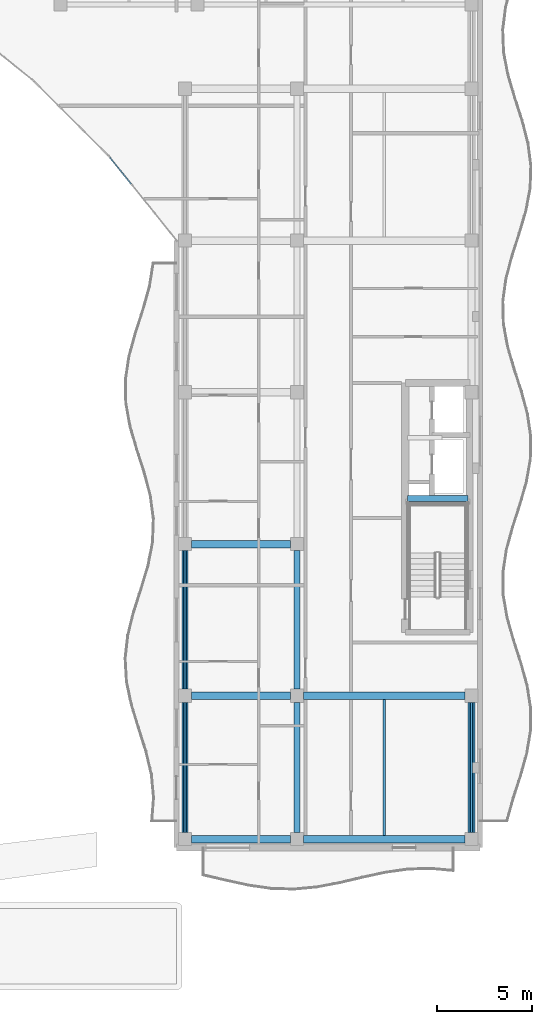
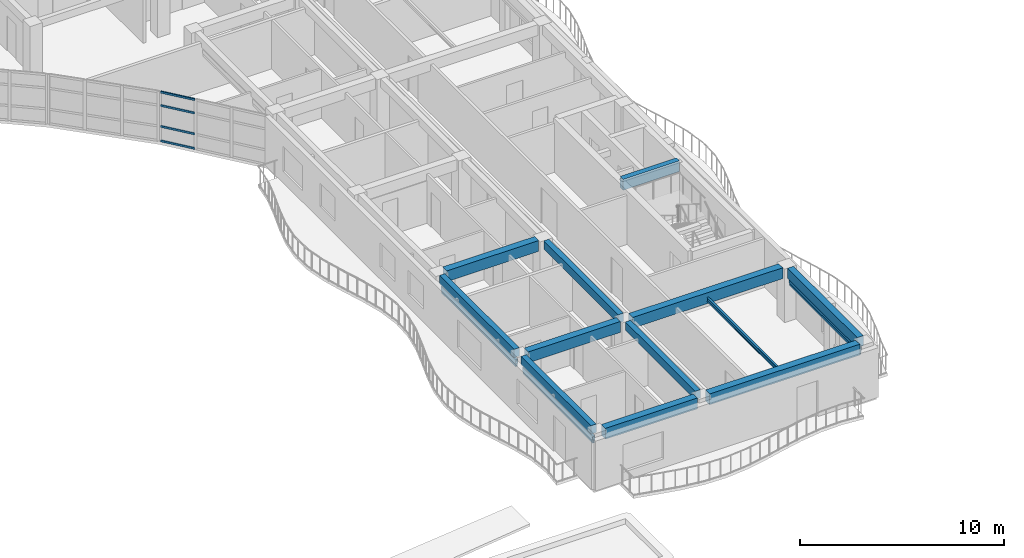
# One storey, part 64 of 128: 12 beams, 10 members, 1 element without a shape of its own.
"""IFC4 building model written with IfcOpenShell, lengths in metres."""

from ifc_helpers import new_model, si_unit, direction, frame, origin, origin_2d, place, context, subcontext, project, spatial, rectangle, hollow_rectangle, i_section, extrude, material, layer, layer_set, material_profile, profile_set, type_object, element, aggregate, save


model = new_model("IFC4")

# Units and contexts
model_context = context("Model", 3, precision=1e-05, world=origin(), true_north=direction((0.0, 1.0)))
body_context = subcontext(model_context, "Body", "Model", "MODEL_VIEW")
ifc_project = project(units=[si_unit("LENGTHUNIT", "METRE"), si_unit("AREAUNIT", "SQUARE_METRE"), si_unit("VOLUMEUNIT", "CUBIC_METRE"), si_unit("PLANEANGLEUNIT", "RADIAN"), si_unit("MASSUNIT", "GRAM", prefix="KILO")], contexts=[model_context])

# Site, building, storey
site_placement = place(None, origin())
site = spatial("IfcSite", under=ifc_project, at=site_placement, CompositionType="ELEMENT")
building_placement = place(site_placement, origin())
building = spatial("IfcBuilding", under=site, at=building_placement, Name="Keldmere Railside Commons", CompositionType="ELEMENT")
storey_placement = place(building_placement, frame((0.0, 0.0, 4.159912109375)))
storey = spatial("IfcBuildingStorey", under=building, at=storey_placement, Name="L01", CompositionType="ELEMENT", Elevation=4.159912109375)

# Members
ifc_material_1 = material(Name="Steel F-36 (S355)", Category="steel")
ifc_material_profile_1 = material_profile(ifc_material_1, hollow_rectangle(XDim=0.14990234375, YDim=0.25, WallThickness=0.010009765625, at=origin_2d()), Name="RHS-250x150x10")
ifc_profile_set_1 = profile_set([ifc_material_profile_1], Name="Steel F-36 (S355)")
member_type_1 = type_object("IfcMemberType", Name="Balcony Continuous Planted Trough RHS250x150", PredefinedType="CHORD", material=ifc_profile_set_1)
member_1_placement = place(storey_placement, frame((168.449951171875, 56.800048828125, 2.4150390625), z_axis=(0.0, 1.0, 0.0), x_axis=(-1.0, 0.0, 0.0)))
element("IfcMember", 1, at=member_1_placement, inside=storey, type_object=member_type_1, Name="PLT-1 MEM-BPLT-0191", PredefinedType="CHORD", context=body_context, shape_type="SweptSolid", body=[
    extrude(hollow_rectangle(XDim=0.14990234375, YDim=0.25, WallThickness=0.010009765625, at=origin_2d()), origin(), (0.0, 0.0, 1.0), 6.849853515625),
])
member_2_placement = place(storey_placement, frame((168.449951171875, 64.35009765625, 2.4150390625), z_axis=(0.0, 1.0, 0.0), x_axis=(-1.0, 0.0, 0.0)))
element("IfcMember", 2, at=member_2_placement, inside=storey, type_object=member_type_1, Name="PLT-1 MEM-BPLT-0193", PredefinedType="CHORD", context=body_context, shape_type="SweptSolid", body=[
    extrude(hollow_rectangle(XDim=0.14990234375, YDim=0.25, WallThickness=0.010009765625, at=origin_2d()), origin(), (0.0, 0.0, 1.0), 7.2998046875),
])
member_3_placement = place(storey_placement, frame((183.550048828125, 56.800048828125, 2.4150390625), z_axis=(0.0, 1.0, 0.0), x_axis=(-1.0, 0.0, 0.0)))
element("IfcMember", 3, at=member_3_placement, inside=storey, type_object=member_type_1, Name="PLT-1 MEM-BPLT-0201", PredefinedType="CHORD", context=body_context, shape_type="SweptSolid", body=[
    extrude(hollow_rectangle(XDim=0.14990234375, YDim=0.25, WallThickness=0.010009765625, at=origin_2d()), origin(), (0.0, 0.0, 1.0), 6.849853515625),
])

# Beams
ifc_material_2 = material(Name="Concrete H-35 (C35/45)", Category="concrete")
ifc_material_profile_2 = material_profile(ifc_material_2, rectangle(XDim=0.300048828125, YDim=0.64990234375, at=origin_2d()), Name="RC-300x650")
ifc_profile_set_2 = profile_set([ifc_material_profile_2], Name="Concrete H-35 (C35/45)")
beam_type_1 = type_object("IfcBeamType", Name="Core Coupling RC Beam 300x650", PredefinedType="BEAM", material=ifc_profile_set_2)
beam_1_placement = place(storey_placement, frame((180.18994140625, 74.39990234375, 2.875), z_axis=(1.0, 0.0, 0.0), x_axis=(0.0, 1.0, 0.0)))
element("IfcBeam", 4, at=beam_1_placement, inside=storey, type_object=beam_type_1, Name="CB-1 BM-L01-2565", PredefinedType="BEAM", context=body_context, shape_type="SweptSolid", body=[
    extrude(rectangle(XDim=0.300048828125, YDim=0.64990234375, at=origin_2d()), origin(), (0.0, 0.0, 1.0), 3.18994140625),
])
ifc_material_profile_3 = material_profile(ifc_material_1, i_section(OverallWidth=0.1201171875, OverallDepth=0.239990234375, WebThickness=0.006103515625, FlangeThickness=0.009765625, at=origin_2d()), Name="IPE-240")
ifc_profile_set_3 = profile_set([ifc_material_profile_3], Name="Steel F-36 (S355)")
beam_type_2 = type_object("IfcBeamType", Name="Nursery & Mezzanine Steel Joist IPE240", PredefinedType="JOIST", material=ifc_profile_set_3)
beam_2_placement = place(storey_placement, frame((178.949951171875, 56.64990234375, 2.81005859375), z_axis=(0.0, 1.0, 0.0), x_axis=(-1.0, 0.0, 0.0)))
element("IfcBeam", 5, at=beam_2_placement, inside=storey, type_object=beam_type_2, Name="JST-2 BM-L01-1003", PredefinedType="JOIST", context=body_context, shape_type="SweptSolid", body=[
    extrude(i_section(OverallWidth=0.1201171875, OverallDepth=0.239990234375, WebThickness=0.006103515625, FlangeThickness=0.009765625, at=origin_2d()), origin(), (0.0, 0.0, 1.0), 7.150146484375),
])
ifc_material_3 = material(Name="Concrete H-30 (C30/37)", Category="concrete")
ifc_material_profile_4 = material_profile(ifc_material_3, rectangle(XDim=0.35009765625, YDim=0.60009765625, at=origin_2d()), Name="RC-350x600")
ifc_profile_set_4 = profile_set([ifc_material_profile_4], Name="Concrete H-30 (C30/37)")
beam_type_3 = type_object("IfcBeamType", Name="Residential Chord RC Beam 350x600", PredefinedType="BEAM", material=ifc_profile_set_4)
beam_3_placement = place(storey_placement, frame((183.550048828125, 56.800048828125, 2.900146484375), z_axis=(0.0, 1.0, 0.0), x_axis=(-1.0, 0.0, 0.0)))
element("IfcBeam", 6, at=beam_3_placement, inside=storey, type_object=beam_type_3, Name="BG-4 BM-L01-0974", PredefinedType="BEAM", context=body_context, shape_type="SweptSolid", body=[
    extrude(rectangle(XDim=0.35009765625, YDim=0.60009765625, at=origin_2d()), origin(), (0.0, 0.0, 1.0), 6.849853515625),
])
ifc_material_profile_5 = material_profile(ifc_material_3, rectangle(XDim=0.39990234375, YDim=0.64990234375, at=origin_2d()), Name="RC-400x650")
ifc_profile_set_5 = profile_set([ifc_material_profile_5], Name="Concrete H-30 (C30/37)")
beam_type_4 = type_object("IfcBeamType", Name="Residential Spine RC Girder 400x650", PredefinedType="BEAM", material=ifc_profile_set_5)
beam_4_placement = place(storey_placement, frame((168.800048828125, 56.449951171875, 2.875), z_axis=(1.0, 0.0, 0.0), x_axis=(0.0, 1.0, 0.0)))
element("IfcBeam", 7, at=beam_4_placement, inside=storey, type_object=beam_type_4, Name="BG-3 BM-L01-0785", PredefinedType="BEAM", context=body_context, shape_type="SweptSolid", body=[
    extrude(rectangle(XDim=0.39990234375, YDim=0.64990234375, at=origin_2d()), origin(), (0.0, 0.0, 1.0), 5.199951171875),
])
beam_5_placement = place(storey_placement, frame((174.699951171875, 56.449951171875, 2.875), z_axis=(1.0, 0.0, 0.0), x_axis=(0.0, 1.0, 0.0)))
element("IfcBeam", 8, at=beam_5_placement, inside=storey, type_object=beam_type_4, Name="BG-3 BM-L01-0786", PredefinedType="BEAM", context=body_context, shape_type="SweptSolid", body=[
    extrude(rectangle(XDim=0.39990234375, YDim=0.64990234375, at=origin_2d()), origin(), (0.0, 0.0, 1.0), 8.5),
])
beam_6_placement = place(storey_placement, frame((168.800048828125, 64.0, 2.875), z_axis=(1.0, 0.0, 0.0), x_axis=(0.0, 1.0, 0.0)))
element("IfcBeam", 9, at=beam_6_placement, inside=storey, type_object=beam_type_4, Name="BG-3 BM-L01-0793", PredefinedType="BEAM", context=body_context, shape_type="SweptSolid", body=[
    extrude(rectangle(XDim=0.39990234375, YDim=0.64990234375, at=origin_2d()), origin(), (0.0, 0.0, 1.0), 5.199951171875),
])
beam_7_placement = place(storey_placement, frame((174.699951171875, 64.0, 2.875), z_axis=(1.0, 0.0, 0.0), x_axis=(0.0, 1.0, 0.0)))
element("IfcBeam", 10, at=beam_7_placement, inside=storey, type_object=beam_type_4, Name="BG-3 BM-L01-0794", PredefinedType="BEAM", context=body_context, shape_type="SweptSolid", body=[
    extrude(rectangle(XDim=0.39990234375, YDim=0.64990234375, at=origin_2d()), origin(), (0.0, 0.0, 1.0), 8.5),
])
beam_8_placement = place(storey_placement, frame((168.800048828125, 72.0, 2.875), z_axis=(1.0, 0.0, 0.0), x_axis=(0.0, 1.0, 0.0)))
element("IfcBeam", 11, at=beam_8_placement, inside=storey, type_object=beam_type_4, Name="BG-3 BM-L01-0798", PredefinedType="BEAM", context=body_context, shape_type="SweptSolid", body=[
    extrude(rectangle(XDim=0.39990234375, YDim=0.64990234375, at=origin_2d()), origin(), (0.0, 0.0, 1.0), 5.199951171875),
])
ifc_material_profile_6 = material_profile(ifc_material_3, rectangle(XDim=0.300048828125, YDim=0.5, at=origin_2d()), Name="RC-300x500")
ifc_profile_set_6 = profile_set([ifc_material_profile_6], Name="Concrete H-30 (C30/37)")
beam_type_5 = type_object("IfcBeamType", Name="Secondary Frame RC Beam 300x500", PredefinedType="BEAM", material=ifc_profile_set_6)
beam_9_placement = place(storey_placement, frame((168.449951171875, 56.800048828125, 2.9501953125), z_axis=(0.0, 1.0, 0.0), x_axis=(-1.0, 0.0, 0.0)))
element("IfcBeam", 12, at=beam_9_placement, inside=storey, type_object=beam_type_5, Name="BG-5 BM-L01-0958", PredefinedType="BEAM", context=body_context, shape_type="SweptSolid", body=[
    extrude(rectangle(XDim=0.300048828125, YDim=0.5, at=origin_2d()), origin(), (0.0, 0.0, 1.0), 6.849853515625),
])
beam_10_placement = place(storey_placement, frame((168.449951171875, 64.35009765625, 2.9501953125), z_axis=(0.0, 1.0, 0.0), x_axis=(-1.0, 0.0, 0.0)))
element("IfcBeam", 13, at=beam_10_placement, inside=storey, type_object=beam_type_5, Name="BG-5 BM-L01-0959", PredefinedType="BEAM", context=body_context, shape_type="SweptSolid", body=[
    extrude(rectangle(XDim=0.300048828125, YDim=0.5, at=origin_2d()), origin(), (0.0, 0.0, 1.0), 7.2998046875),
])
beam_11_placement = place(storey_placement, frame((174.35009765625, 56.800048828125, 2.9501953125), z_axis=(0.0, 1.0, 0.0), x_axis=(-1.0, 0.0, 0.0)))
element("IfcBeam", 14, at=beam_11_placement, inside=storey, type_object=beam_type_5, Name="BG-5 BM-L01-0965", PredefinedType="BEAM", context=body_context, shape_type="SweptSolid", body=[
    extrude(rectangle(XDim=0.300048828125, YDim=0.5, at=origin_2d()), origin(), (0.0, 0.0, 1.0), 6.849853515625),
])
beam_12_placement = place(storey_placement, frame((174.35009765625, 64.35009765625, 2.9501953125), z_axis=(0.0, 1.0, 0.0), x_axis=(-1.0, 0.0, 0.0)))
element("IfcBeam", 15, at=beam_12_placement, inside=storey, type_object=beam_type_5, Name="BG-5 BM-L01-0966", PredefinedType="BEAM", context=body_context, shape_type="SweptSolid", body=[
    extrude(rectangle(XDim=0.300048828125, YDim=0.5, at=origin_2d()), origin(), (0.0, 0.0, 1.0), 7.2998046875),
])

# Members
ifc_material_profile_7 = material_profile(ifc_material_1, hollow_rectangle(XDim=0.10009765625, YDim=0.159912109375, WallThickness=0.008056640625, at=origin_2d()), Name="RHS-160x100x8")
ifc_profile_set_7 = profile_set([ifc_material_profile_7], Name="Steel F-36 (S355)")
member_type_2 = type_object("IfcMemberType", Name="Solar Brise-Soleil Louvre Fin RHS160x100", PredefinedType="STRUT", material=ifc_profile_set_7)
member_4_placement = place(storey_placement, frame((168.449951171875, 56.800048828125, 2.2001953125), z_axis=(0.0, 1.0, 0.0), x_axis=(-1.0, 0.0, 0.0)))
element("IfcMember", 16, at=member_4_placement, inside=storey, type_object=member_type_2, Name="BSF-1 MEM-BSF-0192", PredefinedType="STRUT", context=body_context, shape_type="SweptSolid", body=[
    extrude(hollow_rectangle(XDim=0.10009765625, YDim=0.159912109375, WallThickness=0.008056640625, at=origin_2d()), origin(), (0.0, 0.0, 1.0), 6.849853515625),
])
member_5_placement = place(storey_placement, frame((168.449951171875, 64.35009765625, 2.2001953125), z_axis=(0.0, 1.0, 0.0), x_axis=(-1.0, 0.0, 0.0)))
element("IfcMember", 17, at=member_5_placement, inside=storey, type_object=member_type_2, Name="BSF-1 MEM-BSF-0194", PredefinedType="STRUT", context=body_context, shape_type="SweptSolid", body=[
    extrude(hollow_rectangle(XDim=0.10009765625, YDim=0.159912109375, WallThickness=0.008056640625, at=origin_2d()), origin(), (0.0, 0.0, 1.0), 7.2998046875),
])
member_6_placement = place(storey_placement, frame((183.550048828125, 56.800048828125, 2.2001953125), z_axis=(0.0, 1.0, 0.0), x_axis=(-1.0, 0.0, 0.0)))
element("IfcMember", 18, at=member_6_placement, inside=storey, type_object=member_type_2, Name="BSF-1 MEM-BSF-0202", PredefinedType="STRUT", context=body_context, shape_type="SweptSolid", body=[
    extrude(hollow_rectangle(XDim=0.10009765625, YDim=0.159912109375, WallThickness=0.008056640625, at=origin_2d()), origin(), (0.0, 0.0, 1.0), 6.849853515625),
])

# Curtain wall, members
ifc_material_4 = material(Name="Thermally Broken Aluminium", Category="aluminium")
ifc_layer = layer(ifc_material_4, 0.159912109375, Name="Court Chord Wintergarden CW 5400x2850")
ifc_layer_set = layer_set([ifc_layer], Name="Thermally Broken Aluminium")
curtain_wall_type = type_object("IfcCurtainWallType", Name="Court Chord Wintergarden CW 5400x2850", PredefinedType="NOTDEFINED", material=ifc_layer_set)
curtain_wall_placement = place(storey_placement, origin())
curtain_wall = element("IfcCurtainWall", 19, at=curtain_wall_placement, inside=storey, type_object=curtain_wall_type, Name="CW-13 CW-L01-162", PredefinedType="NOTDEFINED")
ifc_material_profile_8 = material_profile(ifc_material_4, hollow_rectangle(XDim=0.06494140625, YDim=0.1201171875, WallThickness=0.00390625, at=origin_2d()), Name="ALU-TRAN-65x120")
ifc_profile_set_8 = profile_set([ifc_material_profile_8], Name="Thermally Broken Aluminium")
member_type_3 = type_object("IfcMemberType", Name="Unitised Curtain Wall Transom 65x120", PredefinedType="USERDEFINED", material=ifc_profile_set_8)
member_7_placement = place(storey_placement, frame((165.6103515625, 90.978759765625, 0.032470703125), z_axis=(-0.625805275091, 0.779979331565, 0.0), x_axis=(-0.779979331565, -0.625805275091, 0.0)))
member_7 = element("IfcMember", 20, at=member_7_placement, type_object=member_type_3, Name="CW-13 transom 3.1", ObjectType="TRANSOM", PredefinedType="USERDEFINED", context=body_context, shape_type="SweptSolid", body=[
    extrude(hollow_rectangle(XDim=0.06494140625, YDim=0.1201171875, WallThickness=0.00390625, at=origin_2d()), origin(), (0.0, 0.0, 1.0), 1.795654296875),
])
member_8_placement = place(storey_placement, frame((165.6103515625, 90.978759765625, 0.900146484375), z_axis=(-0.625805275091, 0.779979331565, 0.0), x_axis=(-0.779979331565, -0.625805275091, 0.0)))
member_8 = element("IfcMember", 21, at=member_8_placement, type_object=member_type_3, Name="CW-13 transom 3.2", ObjectType="TRANSOM", PredefinedType="USERDEFINED", context=body_context, shape_type="SweptSolid", body=[
    extrude(hollow_rectangle(XDim=0.06494140625, YDim=0.1201171875, WallThickness=0.00390625, at=origin_2d()), origin(), (0.0, 0.0, 1.0), 1.795654296875),
])
member_9_placement = place(storey_placement, frame((165.6103515625, 90.978759765625, 2.150146484375), z_axis=(-0.625805275091, 0.779979331565, 0.0), x_axis=(-0.779979331565, -0.625805275091, 0.0)))
member_9 = element("IfcMember", 22, at=member_9_placement, type_object=member_type_3, Name="CW-13 transom 3.3", ObjectType="TRANSOM", PredefinedType="USERDEFINED", context=body_context, shape_type="SweptSolid", body=[
    extrude(hollow_rectangle(XDim=0.06494140625, YDim=0.1201171875, WallThickness=0.00390625, at=origin_2d()), origin(), (0.0, 0.0, 1.0), 1.795654296875),
])
member_10_placement = place(storey_placement, frame((165.6103515625, 90.978759765625, 2.947509765625), z_axis=(-0.625805275091, 0.779979331565, 0.0), x_axis=(-0.779979331565, -0.625805275091, 0.0)))
member_10 = element("IfcMember", 23, at=member_10_placement, type_object=member_type_3, Name="CW-13 transom 3.4", ObjectType="TRANSOM", PredefinedType="USERDEFINED", context=body_context, shape_type="SweptSolid", body=[
    extrude(hollow_rectangle(XDim=0.06494140625, YDim=0.1201171875, WallThickness=0.00390625, at=origin_2d()), origin(), (0.0, 0.0, 1.0), 1.795654296875),
])
aggregate(curtain_wall, [member_7, member_8, member_9, member_10])

save(model, "model.ifc")
